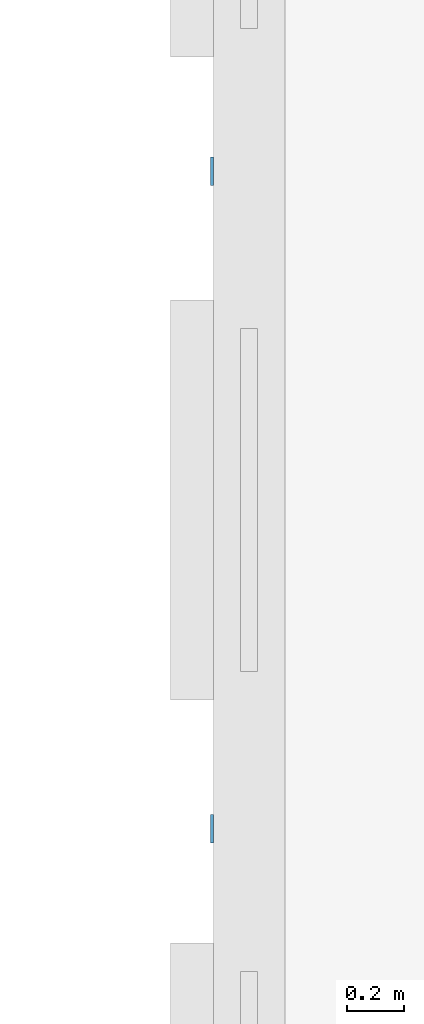
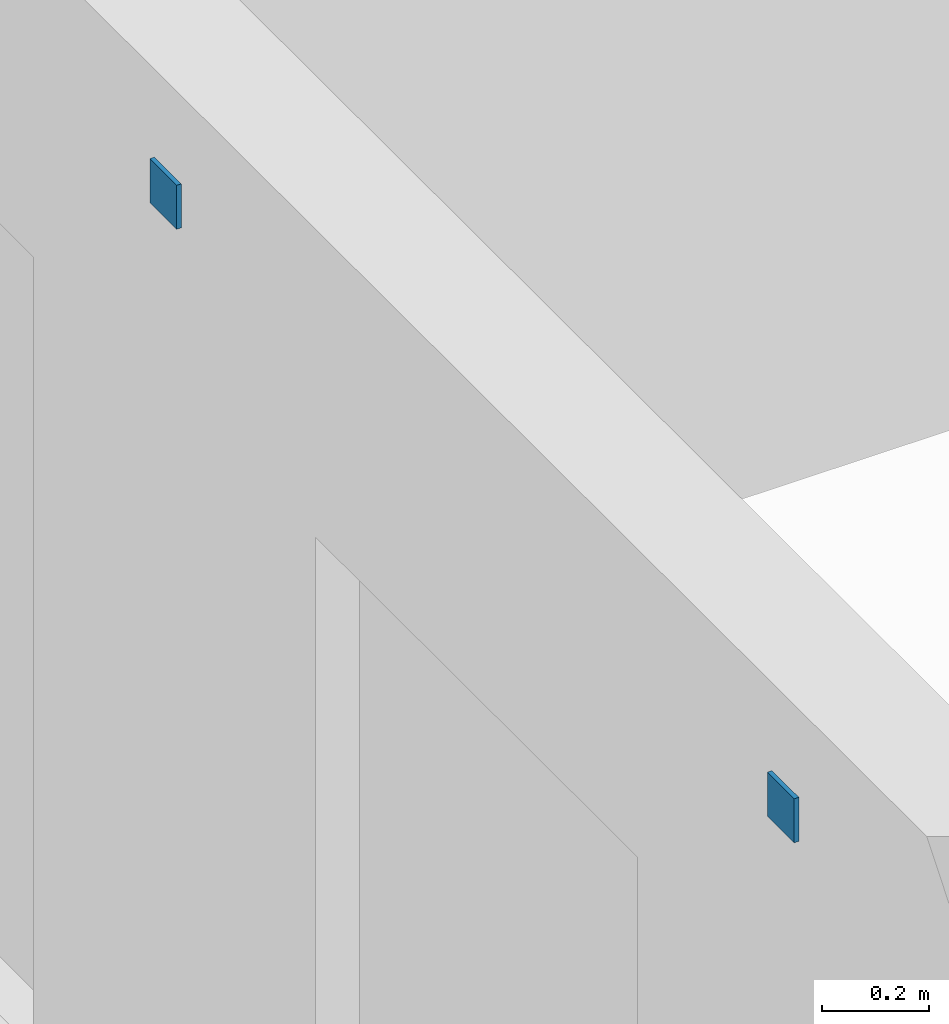
# One storey, part 88 of 101: 2 discrete accessories.
"""IFC4 building model written with IfcOpenShell, lengths in metres."""

from ifc_helpers import new_model, si_unit, direction, frame, origin, origin_2d, place, context, subcontext, project, spatial, rectangle, extrude, material, type_object, element, save


model = new_model("IFC4")

# Units and contexts
model_context = context("Model", 3, precision=1e-05, world=origin(), true_north=direction((0.0, 1.0)))
body_context = subcontext(model_context, "Body", "Model", "MODEL_VIEW")
ifc_project = project(units=[si_unit("LENGTHUNIT", "METRE"), si_unit("AREAUNIT", "SQUARE_METRE"), si_unit("VOLUMEUNIT", "CUBIC_METRE"), si_unit("PLANEANGLEUNIT", "RADIAN"), si_unit("MASSUNIT", "GRAM", prefix="KILO")], contexts=[model_context])

# Site, building, storey
site_placement = place(None, origin())
site = spatial("IfcSite", under=ifc_project, at=site_placement, CompositionType="ELEMENT")
building_placement = place(site_placement, origin())
building = spatial("IfcBuilding", under=site, at=building_placement, Name="Laocheng Heights Fire and Rescue Headquarters", CompositionType="ELEMENT")
storey_placement = place(building_placement, frame((0.0, 0.0, 8.39990234375)))
storey = spatial("IfcBuildingStorey", under=building, at=storey_placement, Name="L02", CompositionType="ELEMENT", Elevation=8.39990234375)

# Discrete accessories
ifc_material = material(Name="Steel Q355B", Category="steel")
discrete_accessory_type = type_object("IfcDiscreteAccessoryType", Name="DRILL STEEL ANCHOR PLATE 100 x 100 x 10", PredefinedType="USERDEFINED", material=ifc_material)
for number, where, z_axis, x_axis, name in (
    (1, (113.8701171875, 30.39990234375, 5.10009765625), (0.0, 0.0, 1.0), (1.0, 0.0, 0.0), "Anchor plate F4"),
    (2, (113.8701171875, 32.699951171875, 5.10009765625), (0.0, 0.0, 1.0), (1.0, 0.0, 0.0), "Anchor plate F4"),
):
    element("IfcDiscreteAccessory", number, at=place(storey_placement, frame(where, z_axis=z_axis, x_axis=x_axis)), inside=storey, type_object=discrete_accessory_type, Name=name, ObjectType="ANCHOR PLATE", PredefinedType="USERDEFINED", context=body_context, shape_type="SweptSolid", body=[
        extrude(rectangle(XDim=0.010009765625, YDim=0.10009765625, at=origin_2d()), origin(), (0.0, 0.0, 1.0), 0.10009765625),
    ])

save(model, "model.ifc")
